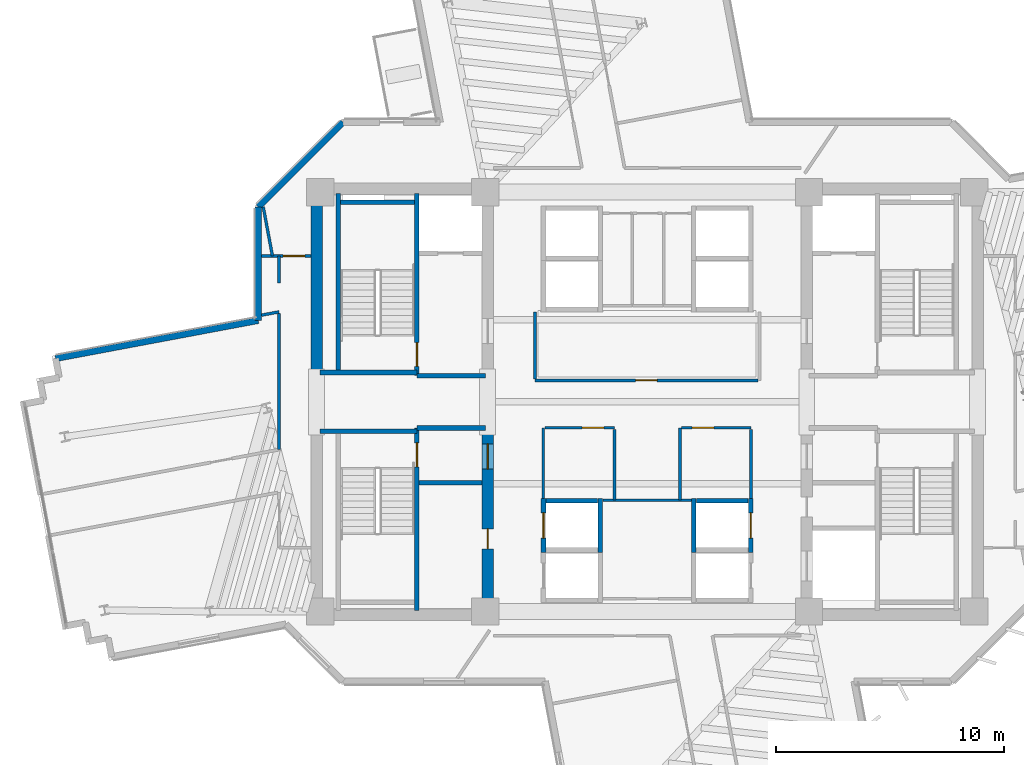
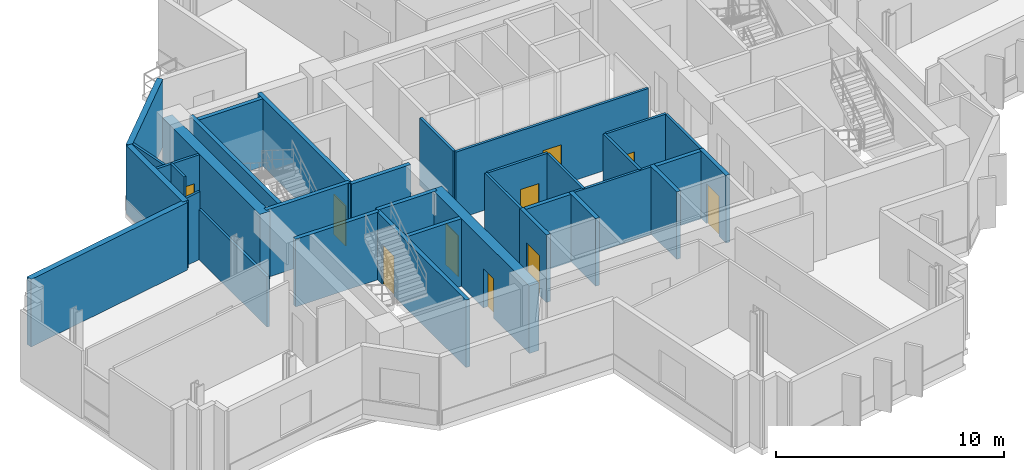
# One storey, part 9 of 16: 34 walls, 10 doors, 10 openings.
"""IFC4 building model written with IfcOpenShell, lengths in metres."""

from ifc_helpers import new_model, si_unit, direction, frame, frame_2d, origin, place, context, subcontext, project, spatial, rectangle, extrude, source, transform, mapped, material, layer, layer_set, type_object, element, fill, save


model = new_model("IFC4")

# Units and contexts
model_context = context("Model", 3, precision=1e-05, world=origin(), true_north=direction((0.0, 1.0)))
body_context = subcontext(model_context, "Body", "Model", "MODEL_VIEW")
ifc_project = project(units=[si_unit("LENGTHUNIT", "METRE"), si_unit("AREAUNIT", "SQUARE_METRE"), si_unit("VOLUMEUNIT", "CUBIC_METRE"), si_unit("PLANEANGLEUNIT", "RADIAN"), si_unit("MASSUNIT", "GRAM", prefix="KILO")], contexts=[model_context])

# Site, building, storey
site_placement = place(None, origin())
site = spatial("IfcSite", under=ifc_project, at=site_placement, CompositionType="ELEMENT")
building_placement = place(site_placement, origin())
building = spatial("IfcBuilding", under=site, at=building_placement, Name="Zahravan Cultural Tower", CompositionType="ELEMENT")
storey_placement = place(building_placement, frame((0.0, 0.0, 155.10009765625)))
storey = spatial("IfcBuildingStorey", under=building, at=storey_placement, Name="L35", CompositionType="ELEMENT", Elevation=155.10009765625)

# Wall, openings, doors
ifc_material_1 = material(Name="Concrete C60/75", Category="concrete")
ifc_layer_1 = layer(ifc_material_1, 0.5)
ifc_layer_set_1 = layer_set([ifc_layer_1], Name="Concrete C60/75")
wall_type_1 = type_object("IfcWallType", Name="CW-SHEAR-500-C60", PredefinedType="SHEAR", material=ifc_layer_set_1)
wall_1_placement = place(storey_placement, frame((29.0, 17.39990234375, 0.0), z_axis=(0.0, 0.0, 1.0), x_axis=(0.0, 1.0, 0.0)))
wall_1 = element("IfcWall", 1, at=wall_1_placement, inside=storey, type_object=wall_type_1, Name="L35 Core Shear Wall CW-W-ES-L35", PredefinedType="SHEAR", context=body_context, shape_type="SweptSolid", body=[
    extrude(rectangle(XDim=8.550048828125, YDim=0.5, at=frame_2d((4.27490234375, 0.0))), origin(), (0.0, 0.0, 1.0), 3.619873046875),
])
opening_1_placement = place(wall_1_placement, frame((6.64990234375, 0.0, 0.0)))
opening_1 = element("IfcOpeningElement", 2, at=opening_1_placement, cuts=wall_1, Name="Opening D-L35-07", PredefinedType="OPENING", context=body_context, shape_type="SweptSolid", body=[
    extrude(rectangle(XDim=1.10009765625, YDim=2.199951171875, at=frame_2d((0.550048828125, 1.10009765625))), frame((0.0, 0.260009765625, 0.0), z_axis=(0.0, -1.0, 0.0), x_axis=(1.0, 0.0, 0.0)), (0.0, 0.0, 1.0), 0.52001953125),
])
opening_2_placement = place(wall_1_placement, frame((3.14990234375, 0.0, 0.0)))
opening_2 = element("IfcOpeningElement", 3, at=opening_2_placement, cuts=wall_1, Name="Opening D-L35-09", PredefinedType="OPENING", context=body_context, shape_type="SweptSolid", body=[
    extrude(rectangle(XDim=0.8798828125, YDim=2.10009765625, at=frame_2d((0.43994140625, 1.050048828125))), frame((0.0, 0.260009765625, 0.0), z_axis=(0.0, -1.0, 0.0), x_axis=(1.0, 0.0, 0.0)), (0.0, 0.0, 1.0), 0.52001953125),
])
ifc_material_2 = material(Name="Steel ASTM A572 Grade 50", Category="steel")
door_type_1 = type_object("IfcDoorType", Name="DR-LOBBY-1100", OperationType="NOTDEFINED", PredefinedType="DOOR", material=ifc_material_2)
shared_shape_1 = source(origin(), body_context, "Body", "SweptSolid", [
    extrude(rectangle(XDim=1.10009765625, YDim=2.199951171875, at=frame_2d((0.550048828125, 1.10009765625))), frame((0.0, 0.02490234375, 0.0), z_axis=(0.0, -1.0, 0.0), x_axis=(1.0, 0.0, 0.0)), (0.0, 0.0, 1.0), 0.050048828125),
])
door_1_placement = place(opening_1_placement, origin())
door_1 = element("IfcDoor", 4, at=door_1_placement, inside=storey, type_object=door_type_1, Name="L35 Door D-L35-07", OperationType="SINGLE_SWING_LEFT", OverallHeight=2.199951171875, OverallWidth=1.10009765625, PredefinedType="DOOR", context=body_context, shape_type="MappedRepresentation", body=[
    mapped(shared_shape_1, transform((0.0, 0.0, 0.0), x_axis=(1.0, 0.0, 0.0), y_axis=(0.0, 1.0, 0.0), z_axis=(0.0, 0.0, 1.0), scale=1.0)),
])
fill(opening_1, door_1)
door_type_2 = type_object("IfcDoorType", Name="DR-SVC-880", OperationType="NOTDEFINED", PredefinedType="DOOR", material=ifc_material_2)
shared_shape_2 = source(origin(), body_context, "Body", "SweptSolid", [
    extrude(rectangle(XDim=0.8798828125, YDim=2.10009765625, at=frame_2d((0.43994140625, 1.050048828125))), frame((0.0, 0.02490234375, 0.0), z_axis=(0.0, -1.0, 0.0), x_axis=(1.0, 0.0, 0.0)), (0.0, 0.0, 1.0), 0.050048828125),
])
door_2_placement = place(opening_2_placement, origin())
door_2 = element("IfcDoor", 5, at=door_2_placement, inside=storey, type_object=door_type_2, Name="L35 Door D-L35-09", OperationType="SINGLE_SWING_LEFT", OverallHeight=2.10009765625, OverallWidth=0.8798828125, PredefinedType="DOOR", context=body_context, shape_type="MappedRepresentation", body=[
    mapped(shared_shape_2, transform((0.0, 0.0, 0.0), x_axis=(1.0, 0.0, 0.0), y_axis=(0.0, 1.0, 0.0), z_axis=(0.0, 0.0, 1.0), scale=1.0)),
])
fill(opening_2, door_2)

# Wall, opening, door
ifc_material_3 = material(Name="Gypsum plasterboard partition")
ifc_layer_2 = layer(ifc_material_3, 0.125)
ifc_layer_set_2 = layer_set([ifc_layer_2], Name="Gypsum plasterboard partition")
wall_type_2 = type_object("IfcWallType", Name="W-PART-125", PredefinedType="PARTITIONING", material=ifc_layer_set_2)
wall_2_placement = place(storey_placement, frame((21.2451171875, 33.39990234375, 0.0), z_axis=(0.0, 0.0, 1.0), x_axis=(-0.99999875384, -0.001578708001, 0.0)))
wall_2 = element("IfcWall", 6, at=wall_2_placement, inside=storey, type_object=wall_type_2, Name="L35 Interior Wall 064", PredefinedType="PARTITIONING", context=body_context, shape_type="SweptSolid", body=[
    extrude(rectangle(XDim=2.1650390625, YDim=0.125, at=frame_2d((1.08251953125, 0.0))), origin(), (0.0, 0.0, 1.0), 3.619873046875),
])
opening_3_placement = place(wall_2_placement, frame((0.267333984375, 0.0, 0.0)))
opening_3 = element("IfcOpeningElement", 7, at=opening_3_placement, cuts=wall_2, Name="Opening D-L35-24", PredefinedType="OPENING", context=body_context, shape_type="SweptSolid", body=[
    extrude(rectangle(XDim=0.949951171875, YDim=2.14990234375, at=frame_2d((0.47509765625, 1.074951171875))), frame((0.0, 0.072509765625, 0.0), z_axis=(0.0, -1.0, 0.0), x_axis=(1.0, 0.0, 0.0)), (0.0, 0.0, 1.0), 0.14501953125),
])
ifc_material_4 = material(Name="Anodised bronze-aluminium mullion", Category="aluminium")
door_type_3 = type_object("IfcDoorType", Name="DR-ROOM-950", OperationType="NOTDEFINED", PredefinedType="DOOR", material=ifc_material_4)
shared_shape_3 = source(origin(), body_context, "Body", "SweptSolid", [
    extrude(rectangle(XDim=0.949951171875, YDim=2.14990234375, at=frame_2d((0.47509765625, 1.074951171875))), frame((0.0, 0.02490234375, 0.0), z_axis=(0.0, -1.0, 0.0), x_axis=(1.0, 0.0, 0.0)), (0.0, 0.0, 1.0), 0.050048828125),
])
door_3_placement = place(opening_3_placement, origin())
door_3 = element("IfcDoor", 8, at=door_3_placement, inside=storey, type_object=door_type_3, Name="L35 Door D-L35-24", OperationType="SINGLE_SWING_RIGHT", OverallHeight=2.14990234375, OverallWidth=0.949951171875, PredefinedType="DOOR", context=body_context, shape_type="MappedRepresentation", body=[
    mapped(shared_shape_3, transform((0.0, 0.0, 0.0), x_axis=(1.0, 0.0, 0.0), y_axis=(0.0, 1.0, 0.0), z_axis=(0.0, 0.0, 1.0), scale=1.0)),
])
fill(opening_3, door_3)

wall_3_placement = place(storey_placement, frame((31.507568359375, 25.860107421875, 0.0), z_axis=(0.0, 0.0, 1.0), x_axis=(1.0, 0.0, 0.0)))
wall_3 = element("IfcWall", 9, at=wall_3_placement, inside=storey, type_object=wall_type_2, Name="L35 Interior Wall 069", PredefinedType="PARTITIONING", context=body_context, shape_type="SweptSolid", body=[
    extrude(rectangle(XDim=3.052490234375, YDim=0.125, at=frame_2d((1.5263671875, 0.0))), origin(), (0.0, 0.0, 1.0), 3.619873046875),
])
opening_4_placement = place(wall_3_placement, frame((1.639892578125, 0.0, 0.0)))
opening_4 = element("IfcOpeningElement", 10, at=opening_4_placement, cuts=wall_3, Name="Opening D-L35-11", PredefinedType="OPENING", context=body_context, shape_type="SweptSolid", body=[
    extrude(rectangle(XDim=0.949951171875, YDim=2.14990234375, at=frame_2d((0.47509765625, 1.074951171875))), frame((0.0, 0.072509765625, 0.0), z_axis=(0.0, -1.0, 0.0), x_axis=(1.0, 0.0, 0.0)), (0.0, 0.0, 1.0), 0.14501953125),
])
door_4_placement = place(opening_4_placement, origin())
door_4 = element("IfcDoor", 11, at=door_4_placement, inside=storey, type_object=door_type_3, Name="L35 Door D-L35-11", OperationType="SINGLE_SWING_LEFT", OverallHeight=2.14990234375, OverallWidth=0.949951171875, PredefinedType="DOOR", context=body_context, shape_type="MappedRepresentation", body=[
    mapped(shared_shape_3, transform((0.0, 0.0, 0.0), x_axis=(1.0, 0.0, 0.0), y_axis=(0.0, 1.0, 0.0), z_axis=(0.0, 0.0, 1.0), scale=1.0)),
])
fill(opening_4, door_4)

wall_4_placement = place(storey_placement, frame((37.507568359375, 25.860107421875, 0.0), z_axis=(0.0, 0.0, 1.0), x_axis=(1.0, 0.0, 0.0)))
wall_4 = element("IfcWall", 12, at=wall_4_placement, inside=storey, type_object=wall_type_2, Name="L35 Interior Wall 072", PredefinedType="PARTITIONING", context=body_context, shape_type="SweptSolid", body=[
    extrude(rectangle(XDim=3.052490234375, YDim=0.125, at=frame_2d((1.5263671875, 0.0))), origin(), (0.0, 0.0, 1.0), 3.619873046875),
])
opening_5_placement = place(wall_4_placement, frame((0.462646484375, 0.0, 0.0)))
opening_5 = element("IfcOpeningElement", 13, at=opening_5_placement, cuts=wall_4, Name="Opening D-L35-12", PredefinedType="OPENING", context=body_context, shape_type="SweptSolid", body=[
    extrude(rectangle(XDim=0.949951171875, YDim=2.14990234375, at=frame_2d((0.47509765625, 1.074951171875))), frame((0.0, 0.072509765625, 0.0), z_axis=(0.0, -1.0, 0.0), x_axis=(1.0, 0.0, 0.0)), (0.0, 0.0, 1.0), 0.14501953125),
])
door_5_placement = place(opening_5_placement, origin())
door_5 = element("IfcDoor", 14, at=door_5_placement, inside=storey, type_object=door_type_3, Name="L35 Door D-L35-12", OperationType="SINGLE_SWING_RIGHT", OverallHeight=2.14990234375, OverallWidth=0.949951171875, PredefinedType="DOOR", context=body_context, shape_type="MappedRepresentation", body=[
    mapped(shared_shape_3, transform((0.0, 0.0, 0.0), x_axis=(1.0, 0.0, 0.0), y_axis=(0.0, 1.0, 0.0), z_axis=(0.0, 0.0, 1.0), scale=1.0)),
])
fill(opening_5, door_5)

wall_5_placement = place(storey_placement, frame((40.8525390625, 27.93994140625, 0.0), z_axis=(0.0, 0.0, 1.0), x_axis=(-1.0, 0.0, 0.0)))
wall_5 = element("IfcWall", 15, at=wall_5_placement, inside=storey, type_object=wall_type_2, Name="L35 Interior Wall 085", PredefinedType="PARTITIONING", context=body_context, shape_type="SweptSolid", body=[
    extrude(rectangle(XDim=9.7724609375, YDim=0.125, at=frame_2d((4.88623046875, 0.0))), origin(), (0.0, 0.0, 1.0), 3.619873046875),
])
opening_6_placement = place(wall_5_placement, frame((4.411376953125, 0.0, 0.0)))
opening_6 = element("IfcOpeningElement", 16, at=opening_6_placement, cuts=wall_5, Name="Opening D-L35-16", PredefinedType="OPENING", context=body_context, shape_type="SweptSolid", body=[
    extrude(rectangle(XDim=0.949951171875, YDim=2.14990234375, at=frame_2d((0.47509765625, 1.074951171875))), frame((0.0, 0.072509765625, 0.0), z_axis=(0.0, -1.0, 0.0), x_axis=(1.0, 0.0, 0.0)), (0.0, 0.0, 1.0), 0.14501953125),
])
door_6_placement = place(opening_6_placement, origin())
door_6 = element("IfcDoor", 17, at=door_6_placement, inside=storey, type_object=door_type_3, Name="L35 Door D-L35-16", OperationType="SINGLE_SWING_RIGHT", OverallHeight=2.14990234375, OverallWidth=0.949951171875, PredefinedType="DOOR", context=body_context, shape_type="MappedRepresentation", body=[
    mapped(shared_shape_3, transform((0.0, 0.0, 0.0), x_axis=(1.0, 0.0, 0.0), y_axis=(0.0, 1.0, 0.0), z_axis=(0.0, 0.0, 1.0), scale=1.0)),
])
fill(opening_6, door_6)

ifc_material_5 = material(Name="Concrete C45/55", Category="concrete")
ifc_layer_3 = layer(ifc_material_5, 0.199951171875)
ifc_layer_set_3 = layer_set([ifc_layer_3], Name="Concrete C45/55")
wall_type_3 = type_object("IfcWallType", Name="W-SHAFT-200", PredefinedType="SOLIDWALL", material=ifc_layer_set_3)
wall_6_placement = place(storey_placement, frame((25.89990234375, 17.85009765625, 0.0), z_axis=(0.0, 0.0, 1.0), x_axis=(0.0, 1.0, 0.0)))
wall_6 = element("IfcWall", 18, at=wall_6_placement, inside=storey, type_object=wall_type_3, Name="L35 Interior Wall 005", PredefinedType="SOLIDWALL", context=body_context, shape_type="SweptSolid", body=[
    extrude(rectangle(XDim=8.0, YDim=0.199951171875, at=frame_2d((4.0, 0.0))), origin(), (0.0, 0.0, 1.0), 3.619873046875),
])
opening_7_placement = place(wall_6_placement, frame((6.300048828125, 0.0, 0.0)))
opening_7 = element("IfcOpeningElement", 19, at=opening_7_placement, cuts=wall_6, Name="Opening D-L35-04", PredefinedType="OPENING", context=body_context, shape_type="SweptSolid", body=[
    extrude(rectangle(XDim=1.050048828125, YDim=2.14990234375, at=frame_2d((0.52490234375, 1.074951171875))), frame((0.0, 0.10986328125, 0.0), z_axis=(0.0, -1.0, 0.0), x_axis=(1.0, 0.0, 0.0)), (0.0, 0.0, 1.0), 0.219970703125),
])
door_type_4 = type_object("IfcDoorType", Name="DR-STAIR-1050", OperationType="NOTDEFINED", PredefinedType="DOOR", material=ifc_material_2)
shared_shape_4 = source(origin(), body_context, "Body", "SweptSolid", [
    extrude(rectangle(XDim=1.050048828125, YDim=2.14990234375, at=frame_2d((0.52490234375, 1.074951171875))), frame((0.0, 0.02490234375, 0.0), z_axis=(0.0, -1.0, 0.0), x_axis=(1.0, 0.0, 0.0)), (0.0, 0.0, 1.0), 0.050048828125),
])
door_7_placement = place(opening_7_placement, origin())
door_7 = element("IfcDoor", 20, at=door_7_placement, inside=storey, type_object=door_type_4, Name="L35 Door D-L35-04", OperationType="SINGLE_SWING_RIGHT", OverallHeight=2.14990234375, OverallWidth=1.050048828125, PredefinedType="DOOR", context=body_context, shape_type="MappedRepresentation", body=[
    mapped(shared_shape_4, transform((0.0, 0.0, 0.0), x_axis=(1.0, 0.0, 0.0), y_axis=(0.0, 1.0, 0.0), z_axis=(0.0, 0.0, 1.0), scale=1.0)),
])
fill(opening_7, door_7)

wall_7_placement = place(storey_placement, frame((25.89990234375, 28.14990234375, 0.0), z_axis=(0.0, 0.0, 1.0), x_axis=(0.0, 1.0, 0.0)))
wall_7 = element("IfcWall", 21, at=wall_7_placement, inside=storey, type_object=wall_type_3, Name="L35 Interior Wall 006", PredefinedType="SOLIDWALL", context=body_context, shape_type="SweptSolid", body=[
    extrude(rectangle(XDim=8.0, YDim=0.199951171875, at=frame_2d((4.0, 0.0))), origin(), (0.0, 0.0, 1.0), 3.619873046875),
])
opening_8_placement = place(wall_7_placement, frame((0.39990234375, 0.0, 0.0)))
opening_8 = element("IfcOpeningElement", 22, at=opening_8_placement, cuts=wall_7, Name="Opening D-L35-01", PredefinedType="OPENING", context=body_context, shape_type="SweptSolid", body=[
    extrude(rectangle(XDim=1.050048828125, YDim=2.14990234375, at=frame_2d((0.52490234375, 1.074951171875))), frame((0.0, 0.10986328125, 0.0), z_axis=(0.0, -1.0, 0.0), x_axis=(1.0, 0.0, 0.0)), (0.0, 0.0, 1.0), 0.219970703125),
])
door_8_placement = place(opening_8_placement, origin())
door_8 = element("IfcDoor", 23, at=door_8_placement, inside=storey, type_object=door_type_4, Name="L35 Door D-L35-01", OperationType="SINGLE_SWING_LEFT", OverallHeight=2.14990234375, OverallWidth=1.050048828125, PredefinedType="DOOR", context=body_context, shape_type="MappedRepresentation", body=[
    mapped(shared_shape_4, transform((0.0, 0.0, 0.0), x_axis=(1.0, 0.0, 0.0), y_axis=(0.0, 1.0, 0.0), z_axis=(0.0, 0.0, 1.0), scale=1.0)),
])
fill(opening_8, door_8)

wall_8_placement = place(storey_placement, frame((31.449951171875, 20.39990234375, 0.0), z_axis=(0.0, 0.0, 1.0), x_axis=(0.0, 1.0, 0.0)))
wall_8 = element("IfcWall", 24, at=wall_8_placement, inside=storey, type_object=wall_type_3, Name="L35 Interior Wall 040", PredefinedType="SOLIDWALL", context=body_context, shape_type="SweptSolid", body=[
    extrude(rectangle(XDim=2.35009765625, YDim=0.199951171875, at=frame_2d((1.175048828125, 0.0))), origin(), (0.0, 0.0, 1.0), 3.619873046875),
])
opening_9_placement = place(wall_8_placement, frame((0.625, 0.0, 0.0)))
opening_9 = element("IfcOpeningElement", 25, at=opening_9_placement, cuts=wall_8, Name="Opening LD-L35-04", PredefinedType="OPENING", context=body_context, shape_type="SweptSolid", body=[
    extrude(rectangle(XDim=1.10009765625, YDim=2.14990234375, at=frame_2d((0.550048828125, 1.074951171875))), frame((0.0, 0.10986328125, 0.0), z_axis=(0.0, -1.0, 0.0), x_axis=(1.0, 0.0, 0.0)), (0.0, 0.0, 1.0), 0.219970703125),
])
door_type_5 = type_object("IfcDoorType", Name="DR-LIFT-1100", OperationType="DOUBLE_DOOR_SLIDING", PredefinedType="DOOR", material=ifc_material_2)
shared_shape_5 = source(origin(), body_context, "Body", "SweptSolid", [
    extrude(rectangle(XDim=1.10009765625, YDim=2.14990234375, at=frame_2d((0.550048828125, 1.074951171875))), frame((0.0, 0.02490234375, 0.0), z_axis=(0.0, -1.0, 0.0), x_axis=(1.0, 0.0, 0.0)), (0.0, 0.0, 1.0), 0.050048828125),
])
door_9_placement = place(opening_9_placement, origin())
door_9 = element("IfcDoor", 26, at=door_9_placement, inside=storey, type_object=door_type_5, Name="L35 Door LD-L35-04", OperationType="DOUBLE_DOOR_SLIDING", OverallHeight=2.14990234375, OverallWidth=1.10009765625, PredefinedType="DOOR", context=body_context, shape_type="MappedRepresentation", body=[
    mapped(shared_shape_5, transform((0.0, 0.0, 0.0), x_axis=(1.0, 0.0, 0.0), y_axis=(0.0, 1.0, 0.0), z_axis=(0.0, 0.0, 1.0), scale=1.0)),
])
fill(opening_9, door_9)

wall_9_placement = place(storey_placement, frame((40.550048828125, 20.39990234375, 0.0), z_axis=(0.0, 0.0, 1.0), x_axis=(0.0, 1.0, 0.0)))
wall_9 = element("IfcWall", 27, at=wall_9_placement, inside=storey, type_object=wall_type_3, Name="L35 Interior Wall 048", PredefinedType="SOLIDWALL", context=body_context, shape_type="SweptSolid", body=[
    extrude(rectangle(XDim=2.35009765625, YDim=0.199951171875, at=frame_2d((1.175048828125, 0.0))), origin(), (0.0, 0.0, 1.0), 3.619873046875),
])
opening_10_placement = place(wall_9_placement, frame((0.625, 0.0, 0.0)))
opening_10 = element("IfcOpeningElement", 28, at=opening_10_placement, cuts=wall_9, Name="Opening LD-L35-06", PredefinedType="OPENING", context=body_context, shape_type="SweptSolid", body=[
    extrude(rectangle(XDim=1.10009765625, YDim=2.14990234375, at=frame_2d((0.550048828125, 1.074951171875))), frame((0.0, 0.10986328125, 0.0), z_axis=(0.0, -1.0, 0.0), x_axis=(1.0, 0.0, 0.0)), (0.0, 0.0, 1.0), 0.219970703125),
])
door_10_placement = place(opening_10_placement, origin())
door_10 = element("IfcDoor", 29, at=door_10_placement, inside=storey, type_object=door_type_5, Name="L35 Door LD-L35-06", OperationType="DOUBLE_DOOR_SLIDING", OverallHeight=2.14990234375, OverallWidth=1.10009765625, PredefinedType="DOOR", context=body_context, shape_type="MappedRepresentation", body=[
    mapped(shared_shape_5, transform((0.0, 0.0, 0.0), x_axis=(1.0, 0.0, 0.0), y_axis=(0.0, 1.0, 0.0), z_axis=(0.0, 0.0, 1.0), scale=1.0)),
])
fill(opening_10, door_10)

# Walls
shared_shape_6 = source(origin(), body_context, "Body", "SweptSolid", [
    extrude(rectangle(XDim=8.550048828125, YDim=0.5, at=frame_2d((4.27490234375, 0.0))), origin(), (0.0, 0.0, 1.0), 3.619873046875),
])
wall_10_placement = place(storey_placement, frame((21.5, 28.050048828125, 0.0), z_axis=(0.0, 0.0, 1.0), x_axis=(0.0, 1.0, 0.0)))
element("IfcWall", 30, at=wall_10_placement, inside=storey, type_object=wall_type_1, Name="L35 Core Shear Wall CW-W-WN-L35", PredefinedType="SHEAR", context=body_context, shape_type="MappedRepresentation", body=[
    mapped(shared_shape_6, transform((0.0, 0.0, 0.0), x_axis=(1.0, 0.0, 0.0), y_axis=(0.0, 1.0, 0.0), z_axis=(0.0, 0.0, 1.0), scale=1.0)),
])
ifc_material_6 = material(Name="Precast concrete C40/50", Category="concrete")
ifc_layer_4 = layer(ifc_material_6, 0.280029296875)
ifc_layer_set_4 = layer_set([ifc_layer_4], Name="Precast concrete C40/50")
wall_type_4 = type_object("IfcWallType", Name="EW-TC-280", PredefinedType="SOLIDWALL", material=ifc_layer_set_4)
shared_shape_7 = source(origin(), body_context, "Body", "SweptSolid", [
    extrude(rectangle(XDim=5.258056640625, YDim=0.280029296875, at=frame_2d((2.62890625, 0.0))), origin(), (0.0, 0.0, 1.0), 3.619873046875),
])
wall_11_placement = place(storey_placement, frame((18.93994140625, 35.5419921875, 0.0), z_axis=(0.0, 0.0, 1.0), x_axis=(0.707106781187, 0.707106781187, 0.0)))
element("IfcWall", 31, at=wall_11_placement, inside=storey, type_object=wall_type_4, Name="L35 Exterior Masonry Frame Wall 38", PredefinedType="SOLIDWALL", context=body_context, shape_type="MappedRepresentation", body=[
    mapped(shared_shape_7, transform((0.0, 0.0, 0.0), x_axis=(1.0, 0.0, 0.0), y_axis=(0.0, 1.0, 0.0), z_axis=(0.0, 0.0, 1.0), scale=1.0)),
])
shared_shape_8 = source(origin(), body_context, "Body", "SweptSolid", [
    extrude(rectangle(XDim=4.970458984375, YDim=0.280029296875, at=frame_2d((2.4853515625, 0.0))), origin(), (0.0, 0.0, 1.0), 3.619873046875),
])
wall_12_placement = place(storey_placement, frame((18.93994140625, 30.571533203125, 0.0), z_axis=(0.0, 0.0, 1.0), x_axis=(0.0, 1.0, 0.0)))
element("IfcWall", 32, at=wall_12_placement, inside=storey, type_object=wall_type_4, Name="L35 Exterior Masonry Frame Wall 37", PredefinedType="SOLIDWALL", context=body_context, shape_type="MappedRepresentation", body=[
    mapped(shared_shape_8, transform((0.0, 0.0, 0.0), x_axis=(1.0, 0.0, 0.0), y_axis=(0.0, 1.0, 0.0), z_axis=(0.0, 0.0, 1.0), scale=1.0)),
])
shared_shape_9 = source(origin(), body_context, "Body", "SweptSolid", [
    extrude(rectangle(XDim=9.052490234375, YDim=0.280029296875, at=frame_2d((4.5263671875, 0.0))), origin(), (0.0, 0.0, 1.0), 3.619873046875),
])
wall_13_placement = place(storey_placement, frame((10.04296875, 28.900146484375, 0.0), z_axis=(0.0, 0.0, 1.0), x_axis=(0.982808012228, 0.184630471755, 0.0)))
element("IfcWall", 33, at=wall_13_placement, inside=storey, type_object=wall_type_4, Name="L35 Exterior Masonry Frame Wall 36", PredefinedType="SOLIDWALL", context=body_context, shape_type="MappedRepresentation", body=[
    mapped(shared_shape_9, transform((0.0, 0.0, 0.0), x_axis=(1.0, 0.0, 0.0), y_axis=(0.0, 1.0, 0.0), z_axis=(0.0, 0.0, 1.0), scale=1.0)),
])
shared_shape_10 = source(origin(), body_context, "Body", "SweptSolid", [
    extrude(rectangle(XDim=7.869873046875, YDim=0.199951171875, at=frame_2d((3.93505859375, 0.0))), origin(), (0.0, 0.0, 1.0), 3.619873046875),
])
wall_14_placement = place(storey_placement, frame((22.449951171875, 28.280029296875, 0.0), z_axis=(0.0, 0.0, 1.0), x_axis=(0.0, 1.0, 0.0)))
element("IfcWall", 34, at=wall_14_placement, inside=storey, type_object=wall_type_3, Name="L35 Interior Wall 002", PredefinedType="SOLIDWALL", context=body_context, shape_type="MappedRepresentation", body=[
    mapped(shared_shape_10, transform((0.0, 0.0, 0.0), x_axis=(1.0, 0.0, 0.0), y_axis=(0.0, 1.0, 0.0), z_axis=(0.0, 0.0, 1.0), scale=1.0)),
])
shared_shape_11 = source(origin(), body_context, "Body", "SweptSolid", [
    extrude(rectangle(XDim=4.25, YDim=0.199951171875, at=frame_2d((2.125, 0.0))), origin(), (0.0, 0.0, 1.0), 3.619873046875),
])
for number, where, z_axis, x_axis, name in (
    (35, (21.64990234375, 25.715087890625, 0.0), (0.0, 0.0, 1.0), (1.0, 0.0, 0.0), "L35 Interior Wall 009"),
    (36, (21.64990234375, 28.284912109375, 0.0), (0.0, 0.0, 1.0), (1.0, 0.0, 0.0), "L35 Interior Wall 011"),
):
    element("IfcWall", number, at=place(storey_placement, frame(where, z_axis=z_axis, x_axis=x_axis)), inside=storey, type_object=wall_type_3, Name=name, PredefinedType="SOLIDWALL", context=body_context, shape_type="MappedRepresentation", body=[
        mapped(shared_shape_11, transform((0.0, 0.0, 0.0), x_axis=(1.0, 0.0, 0.0), y_axis=(0.0, 1.0, 0.0), z_axis=(0.0, 0.0, 1.0), scale=1.0)),
    ])
shared_shape_12 = source(origin(), body_context, "Body", "SweptSolid", [
    extrude(rectangle(XDim=3.0, YDim=0.199951171875, at=frame_2d((1.5, 0.0))), origin(), (0.0, 0.0, 1.0), 3.619873046875),
])
for number, where, z_axis, x_axis, name in (
    (37, (25.89990234375, 25.85009765625, 0.0), (0.0, 0.0, 1.0), (1.0, 0.0, 0.0), "L35 Interior Wall 010"),
    (38, (25.89990234375, 28.14990234375, 0.0), (0.0, 0.0, 1.0), (1.0, 0.0, 0.0), "L35 Interior Wall 012"),
):
    element("IfcWall", number, at=place(storey_placement, frame(where, z_axis=z_axis, x_axis=x_axis)), inside=storey, type_object=wall_type_3, Name=name, PredefinedType="SOLIDWALL", context=body_context, shape_type="MappedRepresentation", body=[
        mapped(shared_shape_12, transform((0.0, 0.0, 0.0), x_axis=(1.0, 0.0, 0.0), y_axis=(0.0, 1.0, 0.0), z_axis=(0.0, 0.0, 1.0), scale=1.0)),
    ])
shared_shape_13 = source(origin(), body_context, "Body", "SweptSolid", [
    extrude(rectangle(XDim=3.25, YDim=0.199951171875, at=frame_2d((1.625, 0.0))), origin(), (0.0, 0.0, 1.0), 3.619873046875),
])
wall_15_placement = place(storey_placement, frame((22.550048828125, 35.75, 0.0), z_axis=(0.0, 0.0, 1.0), x_axis=(1.0, 0.0, 0.0)))
element("IfcWall", 39, at=wall_15_placement, inside=storey, type_object=wall_type_3, Name="L35 Interior Wall 017", PredefinedType="SOLIDWALL", context=body_context, shape_type="MappedRepresentation", body=[
    mapped(shared_shape_13, transform((0.0, 0.0, 0.0), x_axis=(1.0, 0.0, 0.0), y_axis=(0.0, 1.0, 0.0), z_axis=(0.0, 0.0, 1.0), scale=1.0)),
])
shared_shape_14 = source(origin(), body_context, "Body", "SweptSolid", [
    extrude(rectangle(XDim=2.75, YDim=0.199951171875, at=frame_2d((1.375, 0.0))), origin(), (0.0, 0.0, 1.0), 3.619873046875),
])
wall_16_placement = place(storey_placement, frame((26.0, 23.449951171875, 0.0), z_axis=(0.0, 0.0, 1.0), x_axis=(1.0, 0.0, 0.0)))
element("IfcWall", 40, at=wall_16_placement, inside=storey, type_object=wall_type_3, Name="L35 Interior Wall 023", PredefinedType="SOLIDWALL", context=body_context, shape_type="MappedRepresentation", body=[
    mapped(shared_shape_14, transform((0.0, 0.0, 0.0), x_axis=(1.0, 0.0, 0.0), y_axis=(0.0, 1.0, 0.0), z_axis=(0.0, 0.0, 1.0), scale=1.0)),
])
shared_shape_15 = source(origin(), body_context, "Body", "SweptSolid", [
    extrude(rectangle(XDim=2.260009765625, YDim=0.199951171875, at=frame_2d((1.1298828125, 0.0))), origin(), (0.0, 0.0, 1.0), 3.619873046875),
])
for number, where, z_axis, x_axis, name in (
    (41, (31.570068359375, 22.64990234375, 0.0), (0.0, 0.0, 1.0), (1.0, 0.0, 0.0), "L35 Interior Wall 043"),
    (42, (38.169921875, 22.64990234375, 0.0), (0.0, 0.0, 1.0), (1.0, 0.0, 0.0), "L35 Interior Wall 050"),
):
    element("IfcWall", number, at=place(storey_placement, frame(where, z_axis=z_axis, x_axis=x_axis)), inside=storey, type_object=wall_type_3, Name=name, PredefinedType="SOLIDWALL", context=body_context, shape_type="MappedRepresentation", body=[
        mapped(shared_shape_15, transform((0.0, 0.0, 0.0), x_axis=(1.0, 0.0, 0.0), y_axis=(0.0, 1.0, 0.0), z_axis=(0.0, 0.0, 1.0), scale=1.0)),
    ])
shared_shape_16 = source(origin(), body_context, "Body", "SweptSolid", [
    extrude(rectangle(XDim=2.35009765625, YDim=0.199951171875, at=frame_2d((1.175048828125, 0.0))), origin(), (0.0, 0.0, 1.0), 3.619873046875),
])
for number, where, z_axis, x_axis, name in (
    (43, (33.949951171875, 20.39990234375, 0.0), (0.0, 0.0, 1.0), (0.0, 1.0, 0.0), "L35 Interior Wall 041"),
    (44, (38.050048828125, 20.39990234375, 0.0), (0.0, 0.0, 1.0), (0.0, 1.0, 0.0), "L35 Interior Wall 047"),
):
    element("IfcWall", number, at=place(storey_placement, frame(where, z_axis=z_axis, x_axis=x_axis)), inside=storey, type_object=wall_type_3, Name=name, PredefinedType="SOLIDWALL", context=body_context, shape_type="MappedRepresentation", body=[
        mapped(shared_shape_16, transform((0.0, 0.0, 0.0), x_axis=(1.0, 0.0, 0.0), y_axis=(0.0, 1.0, 0.0), z_axis=(0.0, 0.0, 1.0), scale=1.0)),
    ])
shared_shape_17 = source(origin(), body_context, "Body", "SweptSolid", [
    extrude(rectangle(XDim=1.194580078125, YDim=0.125, at=frame_2d((0.59716796875, 0.0))), origin(), (0.0, 0.0, 1.0), 3.619873046875),
])
wall_17_placement = place(storey_placement, frame((19.851318359375, 33.397705078125, 0.0), z_axis=(0.0, 0.0, 1.0), x_axis=(-0.001021867441, -0.999999477893, 0.0)))
element("IfcWall", 45, at=wall_17_placement, inside=storey, type_object=wall_type_2, Name="L35 Interior Wall 062", PredefinedType="PARTITIONING", context=body_context, shape_type="MappedRepresentation", body=[
    mapped(shared_shape_17, transform((0.0, 0.0, 0.0), x_axis=(1.0, 0.0, 0.0), y_axis=(0.0, 1.0, 0.0), z_axis=(0.0, 0.0, 1.0), scale=1.0)),
])
shared_shape_18 = source(origin(), body_context, "Body", "SweptSolid", [
    extrude(rectangle(XDim=2.19189453125, YDim=0.125, at=frame_2d((1.095947265625, 0.0))), origin(), (0.0, 0.0, 1.0), 3.619873046875),
])
wall_18_placement = place(storey_placement, frame((19.56005859375, 33.39794921875, 0.0), z_axis=(0.0, 0.0, 1.0), x_axis=(-0.184665106031, 0.982801505196, 0.0)))
element("IfcWall", 46, at=wall_18_placement, inside=storey, type_object=wall_type_2, Name="L35 Interior Wall 063", PredefinedType="PARTITIONING", context=body_context, shape_type="MappedRepresentation", body=[
    mapped(shared_shape_18, transform((0.0, 0.0, 0.0), x_axis=(1.0, 0.0, 0.0), y_axis=(0.0, 1.0, 0.0), z_axis=(0.0, 0.0, 1.0), scale=1.0)),
])
shared_shape_19 = source(origin(), body_context, "Body", "SweptSolid", [
    extrude(rectangle(XDim=3.110107421875, YDim=0.125, at=frame_2d((1.55517578125, 0.0))), origin(), (0.0, 0.0, 1.0), 3.619873046875),
])
wall_19_placement = place(storey_placement, frame((31.43994140625, 22.75, 0.0), z_axis=(0.0, 0.0, 1.0), x_axis=(0.0, 1.0, 0.0)))
element("IfcWall", 47, at=wall_19_placement, inside=storey, type_object=wall_type_2, Name="L35 Interior Wall 068", PredefinedType="PARTITIONING", context=body_context, shape_type="MappedRepresentation", body=[
    mapped(shared_shape_19, transform((0.0, 0.0, 0.0), x_axis=(1.0, 0.0, 0.0), y_axis=(0.0, 1.0, 0.0), z_axis=(0.0, 0.0, 1.0), scale=1.0)),
])
shared_shape_20 = source(origin(), body_context, "Body", "SweptSolid", [
    extrude(rectangle(XDim=3.1025390625, YDim=0.125, at=frame_2d((1.55126953125, 0.0))), origin(), (0.0, 0.0, 1.0), 3.619873046875),
])
wall_20_placement = place(storey_placement, frame((34.56005859375, 25.79248046875, 0.0), z_axis=(0.0, 0.0, 1.0), x_axis=(0.0, -1.0, 0.0)))
element("IfcWall", 48, at=wall_20_placement, inside=storey, type_object=wall_type_2, Name="L35 Interior Wall 070", PredefinedType="PARTITIONING", context=body_context, shape_type="MappedRepresentation", body=[
    mapped(shared_shape_20, transform((0.0, 0.0, 0.0), x_axis=(1.0, 0.0, 0.0), y_axis=(0.0, 1.0, 0.0), z_axis=(0.0, 0.0, 1.0), scale=1.0)),
])
shared_shape_21 = source(origin(), body_context, "Body", "SweptSolid", [
    extrude(rectangle(XDim=3.170166015625, YDim=0.125, at=frame_2d((1.5849609375, 0.0))), origin(), (0.0, 0.0, 1.0), 3.619873046875),
])
wall_21_placement = place(storey_placement, frame((37.43994140625, 22.68994140625, 0.0), z_axis=(0.0, 0.0, 1.0), x_axis=(0.0, 1.0, 0.0)))
element("IfcWall", 49, at=wall_21_placement, inside=storey, type_object=wall_type_2, Name="L35 Interior Wall 071", PredefinedType="PARTITIONING", context=body_context, shape_type="MappedRepresentation", body=[
    mapped(shared_shape_21, transform((0.0, 0.0, 0.0), x_axis=(1.0, 0.0, 0.0), y_axis=(0.0, 1.0, 0.0), z_axis=(0.0, 0.0, 1.0), scale=1.0)),
])
shared_shape_22 = source(origin(), body_context, "Body", "SweptSolid", [
    extrude(rectangle(XDim=3.04248046875, YDim=0.125, at=frame_2d((1.521240234375, 0.0))), origin(), (0.0, 0.0, 1.0), 3.619873046875),
])
wall_22_placement = place(storey_placement, frame((40.56005859375, 25.79248046875, 0.0), z_axis=(0.0, 0.0, 1.0), x_axis=(0.0, -1.0, 0.0)))
element("IfcWall", 50, at=wall_22_placement, inside=storey, type_object=wall_type_2, Name="L35 Interior Wall 073", PredefinedType="PARTITIONING", context=body_context, shape_type="MappedRepresentation", body=[
    mapped(shared_shape_22, transform((0.0, 0.0, 0.0), x_axis=(1.0, 0.0, 0.0), y_axis=(0.0, 1.0, 0.0), z_axis=(0.0, 0.0, 1.0), scale=1.0)),
])
shared_shape_23 = source(origin(), body_context, "Body", "SweptSolid", [
    extrude(rectangle(XDim=3.89013671875, YDim=0.125, at=frame_2d((1.945068359375, 0.0))), origin(), (0.0, 0.0, 1.0), 3.619873046875),
])
wall_23_placement = place(storey_placement, frame((34.054931640625, 22.679931640625, 0.0), z_axis=(0.0, 0.0, 1.0), x_axis=(1.0, 0.0, 0.0)))
element("IfcWall", 51, at=wall_23_placement, inside=storey, type_object=wall_type_2, Name="L35 Interior Wall 074", PredefinedType="PARTITIONING", context=body_context, shape_type="MappedRepresentation", body=[
    mapped(shared_shape_23, transform((0.0, 0.0, 0.0), x_axis=(1.0, 0.0, 0.0), y_axis=(0.0, 1.0, 0.0), z_axis=(0.0, 0.0, 1.0), scale=1.0)),
])
shared_shape_24 = source(origin(), body_context, "Body", "SweptSolid", [
    extrude(rectangle(XDim=2.9423828125, YDim=0.125, at=frame_2d((1.47119140625, 0.0))), origin(), (0.0, 0.0, 1.0), 3.619873046875),
])
wall_24_placement = place(storey_placement, frame((31.080078125, 28.007568359375, 0.0), z_axis=(0.0, 0.0, 1.0), x_axis=(0.0, 1.0, 0.0)))
element("IfcWall", 52, at=wall_24_placement, inside=storey, type_object=wall_type_2, Name="L35 Interior Wall 086", PredefinedType="PARTITIONING", context=body_context, shape_type="MappedRepresentation", body=[
    mapped(shared_shape_24, transform((0.0, 0.0, 0.0), x_axis=(1.0, 0.0, 0.0), y_axis=(0.0, 1.0, 0.0), z_axis=(0.0, 0.0, 1.0), scale=1.0)),
])
shared_shape_25 = source(origin(), body_context, "Body", "SweptSolid", [
    extrude(rectangle(XDim=0.778564453125, YDim=0.125, at=frame_2d((0.38916015625, 0.0))), origin(), (0.0, 0.0, 1.0), 3.619873046875),
])
wall_25_placement = place(storey_placement, frame((19.0849609375, 30.80224609375, 0.0), z_axis=(0.0, 0.0, 1.0), x_axis=(0.982850878619, 0.184402143149, 0.0)))
element("IfcWall", 53, at=wall_25_placement, inside=storey, type_object=wall_type_2, Name="L35 Interior Wall 094", PredefinedType="PARTITIONING", context=body_context, shape_type="MappedRepresentation", body=[
    mapped(shared_shape_25, transform((0.0, 0.0, 0.0), x_axis=(1.0, 0.0, 0.0), y_axis=(0.0, 1.0, 0.0), z_axis=(0.0, 0.0, 1.0), scale=1.0)),
])
shared_shape_26 = source(origin(), body_context, "Body", "SweptSolid", [
    extrude(rectangle(XDim=5.97509765625, YDim=0.125, at=frame_2d((2.987548828125, 0.0))), origin(), (0.0, 0.0, 1.0), 2.69287109375),
])
wall_26_placement = place(storey_placement, frame((19.85009765625, 30.877197265625, 0.0), z_axis=(0.0, 0.0, 1.0), x_axis=(0.0, -1.0, 0.0)))
element("IfcWall", 54, at=wall_26_placement, inside=storey, type_object=wall_type_2, Name="L35 Interior Wall 095", PredefinedType="PARTITIONING", context=body_context, shape_type="MappedRepresentation", body=[
    mapped(shared_shape_26, transform((0.0, 0.0, 0.0), x_axis=(1.0, 0.0, 0.0), y_axis=(0.0, 1.0, 0.0), z_axis=(0.0, 0.0, 1.0), scale=1.0)),
])

save(model, "model.ifc")
